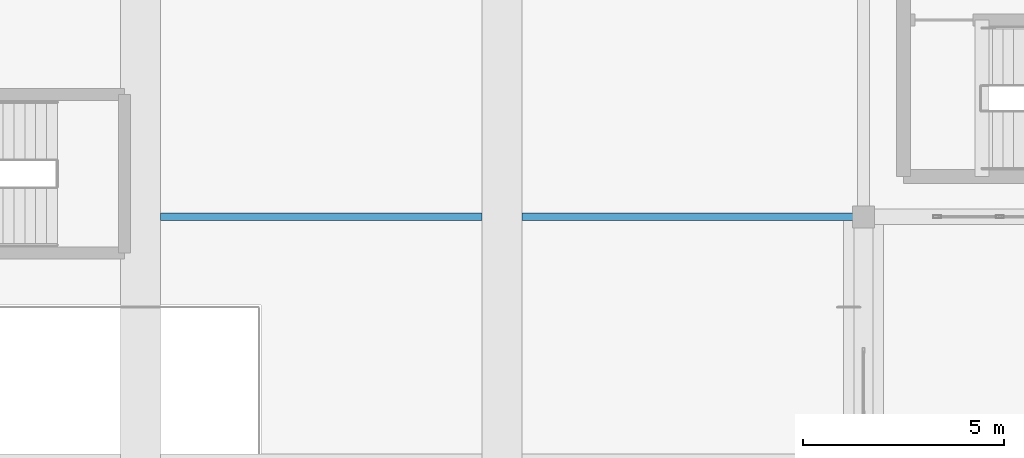
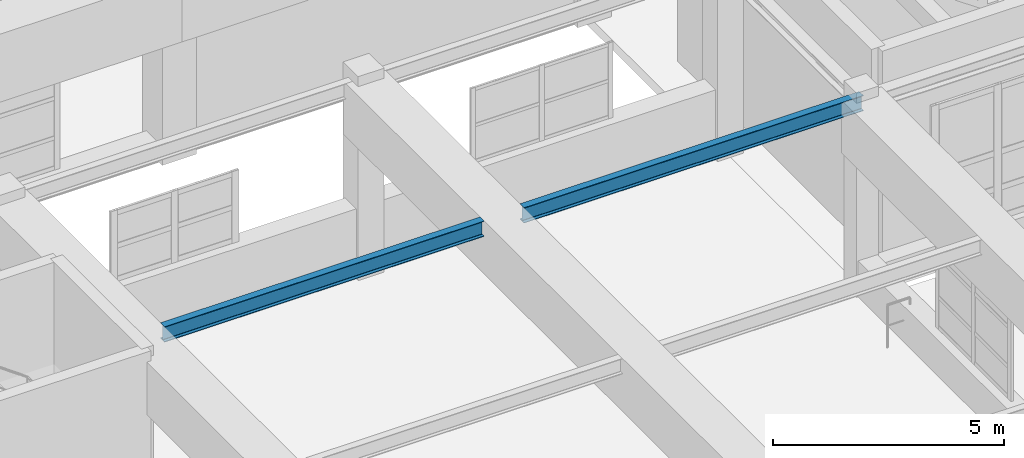
# One storey, part 29 of 197: 2 beams.
"""IFC4 building model written with IfcOpenShell, lengths in metres."""

from ifc_helpers import new_model, si_unit, derived_unit, direction, frame, origin, origin_2d, place, context, subcontext, project, spatial, i_section, extrude, material, material_profile, profile_set, type_object, element, save


model = new_model("IFC4")

# Units and contexts
model_context = context("Model", 3, precision=1e-05, world=origin(), true_north=direction((0.0, 1.0)))
body_context = subcontext(model_context, "Body", "Model", "MODEL_VIEW")
ifc_project = project(units=[si_unit("LENGTHUNIT", "METRE"), si_unit("AREAUNIT", "SQUARE_METRE"), si_unit("VOLUMEUNIT", "CUBIC_METRE"), si_unit("PLANEANGLEUNIT", "RADIAN"), si_unit("MASSUNIT", "GRAM", prefix="KILO"), derived_unit("THERMALTRANSMITTANCEUNIT", [(si_unit("POWERUNIT", "WATT"), 1), (si_unit("LENGTHUNIT", "METRE"), -2), (si_unit("THERMODYNAMICTEMPERATUREUNIT", "KELVIN"), -1)])], contexts=[model_context])

# Site, building, storey
site_placement = place(None, origin())
site = spatial("IfcSite", under=ifc_project, at=site_placement, CompositionType="ELEMENT")
building_placement = place(site_placement, origin())
building = spatial("IfcBuilding", under=site, at=building_placement, Name="Almenara Railside Exhibition Hall", CompositionType="ELEMENT")
storey_placement = place(building_placement, frame((0.0, 0.0, 5.39990234375)))
storey = spatial("IfcBuildingStorey", under=building, at=storey_placement, Name="L01", CompositionType="ELEMENT", Elevation=5.39990234375)

# Beams
ifc_material = material(Name="Structural steel S355JR", Category="steel")
ifc_material_profile = material_profile(ifc_material, i_section(OverallWidth=0.1787109375, OverallDepth=0.409423828125, WebThickness=0.0087890625, FlangeThickness=0.014404296875, FilletRadius=0.01025390625, at=origin_2d()), Name="UB 406x178x67")
ifc_profile_set = profile_set([ifc_material_profile], Name="Structural steel S355JR")
beam_type = type_object("IfcBeamType", Name="Steel Plenary Joist UB 406x178x67 S355JR", PredefinedType="JOIST", material=ifc_profile_set)
beam_1_placement = place(storey_placement, frame((48.5, 36.0, 4.931396484375), z_axis=(1.0, 0.0, 0.0), x_axis=(0.0, 1.0, 0.0)))
element("IfcBeam", 1, at=beam_1_placement, inside=storey, type_object=beam_type, Name="Beam 0921", PredefinedType="JOIST", context=body_context, shape_type="SweptSolid", body=[
    extrude(i_section(OverallWidth=0.1787109375, OverallDepth=0.409423828125, WebThickness=0.0087890625, FlangeThickness=0.014404296875, FilletRadius=0.01025390625, at=origin_2d()), origin(), (0.0, 0.0, 1.0), 8.0),
])
beam_2_placement = place(storey_placement, frame((57.5, 36.0, 4.931396484375), z_axis=(1.0, 0.0, 0.0), x_axis=(0.0, 1.0, 0.0)))
element("IfcBeam", 2, at=beam_2_placement, inside=storey, type_object=beam_type, Name="Beam 0935", PredefinedType="JOIST", context=body_context, shape_type="SweptSolid", body=[
    extrude(i_section(OverallWidth=0.1787109375, OverallDepth=0.409423828125, WebThickness=0.0087890625, FlangeThickness=0.014404296875, FilletRadius=0.01025390625, at=origin_2d()), origin(), (0.0, 0.0, 1.0), 8.5),
])

save(model, "model.ifc")
